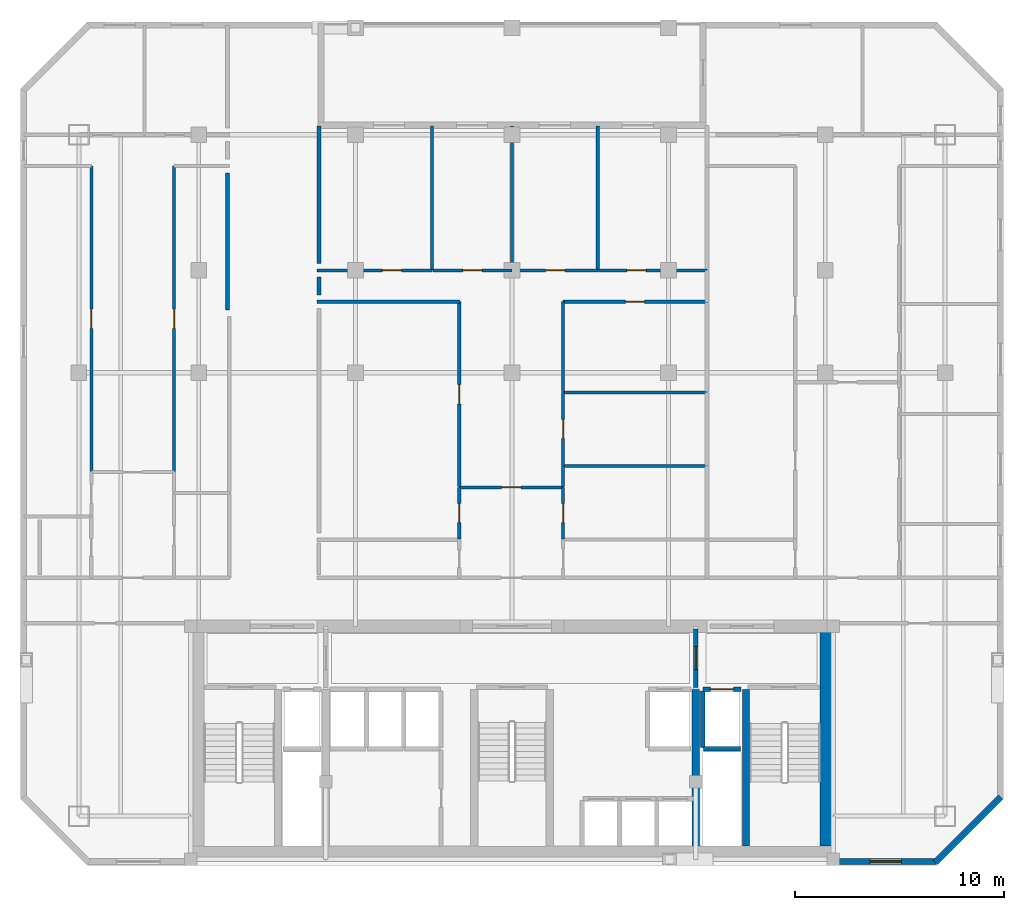
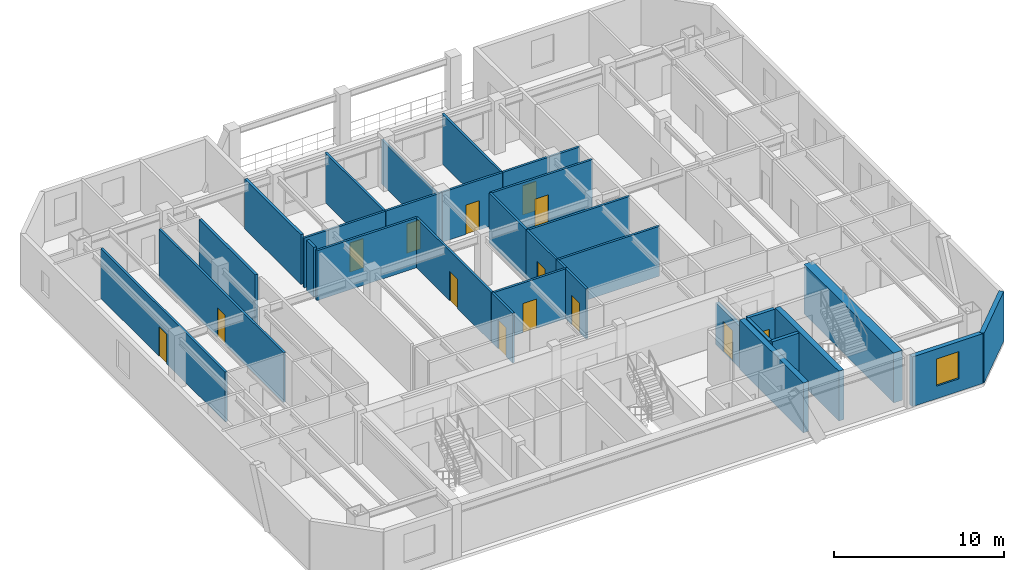
# One storey, part 4 of 8: 32 walls, 14 doors, 1 window, 15 openings.
"""IFC4 building model written with IfcOpenShell, lengths in metres."""

from ifc_helpers import new_model, si_unit, direction, frame, frame_2d, origin, place, context, subcontext, project, spatial, rectangle, extrude, material, layer, layer_set, type_object, element, fill, save


model = new_model("IFC4")

# Units and contexts
model_context = context("Model", 3, precision=1e-05, world=origin(), true_north=direction((0.0, 1.0)))
body_context = subcontext(model_context, "Body", "Model", "MODEL_VIEW")
ifc_project = project(units=[si_unit("LENGTHUNIT", "METRE"), si_unit("AREAUNIT", "SQUARE_METRE"), si_unit("VOLUMEUNIT", "CUBIC_METRE"), si_unit("PLANEANGLEUNIT", "RADIAN"), si_unit("MASSUNIT", "GRAM", prefix="KILO")], contexts=[model_context])

# Site, building, storey
site_placement = place(None, origin())
site = spatial("IfcSite", under=ifc_project, at=site_placement, CompositionType="ELEMENT")
building_placement = place(site_placement, origin())
building = spatial("IfcBuilding", under=site, at=building_placement, Name="Ventersveld Concourse Tower", CompositionType="ELEMENT")
storey_placement = place(building_placement, frame((0.0, 0.0, 200.300048828125)))
storey = spatial("IfcBuildingStorey", under=building, at=storey_placement, Name="L49", CompositionType="ELEMENT", Elevation=200.300048828125)

# Walls
ifc_material_1 = material(Name="Concrete C50/60", Category="concrete")
ifc_layer_1 = layer(ifc_material_1, 0.35009765625)
ifc_layer_set_1 = layer_set([ifc_layer_1], Name="Concrete C50/60")
wall_type_1 = type_object("IfcWallType", Name="WL-CORE-350U", PredefinedType="SHEAR", material=ifc_layer_set_1)
for number, where, z_axis, x_axis, name in (
    (1, (37.550048828125, 0.919921875, 0.0), (0.0, 0.0, 1.0), (0.0, 1.0, 0.0), "L49 Core Internal Shear Web W-SVL-W"),
    (2, (39.9599609375, 0.919921875, 0.0), (0.0, 0.0, 1.0), (0.0, 1.0, 0.0), "L49 Core Internal Shear Web W-ST2-W"),
):
    element("IfcWall", number, at=place(storey_placement, frame(where, z_axis=z_axis, x_axis=x_axis)), inside=storey, type_object=wall_type_1, Name=name, PredefinedType="SHEAR", context=body_context, shape_type="SweptSolid", body=[
        extrude(rectangle(XDim=7.5, YDim=0.35009765625, at=frame_2d((3.75, 0.0))), origin(), (0.0, 0.0, 1.0), 3.570068359375),
    ])
ifc_layer_2 = layer(ifc_material_1, 0.60009765625)
ifc_layer_set_2 = layer_set([ifc_layer_2], Name="Concrete C50/60")
wall_type_2 = type_object("IfcWallType", Name="WL-CORE-600", PredefinedType="SHEAR", material=ifc_layer_set_2)
wall_1_placement = place(storey_placement, frame((43.800048828125, 0.919921875, 0.0), z_axis=(0.0, 0.0, 1.0), x_axis=(0.0, 1.0, 0.0)))
element("IfcWall", 3, at=wall_1_placement, inside=storey, type_object=wall_type_2, Name="L49 Rear Core East Shear Wall", PredefinedType="SHEAR", context=body_context, shape_type="SweptSolid", body=[
    extrude(rectangle(XDim=10.530029296875, YDim=0.60009765625, at=frame_2d((5.26513671875, 0.0))), origin(), (0.0, 0.0, 1.0), 3.570068359375),
])
ifc_material_2 = material(Name="Fire-rated autoclaved aerated masonry blockwork", Category="masonry")
ifc_layer_3 = layer(ifc_material_2, 0.179931640625)
ifc_layer_set_3 = layer_set([ifc_layer_3], Name="Fire-rated autoclaved aerated masonry blockwork")
wall_type_3 = type_object("IfcWallType", Name="WL-CORR-180", PredefinedType="PARTITIONING", material=ifc_layer_set_3)
wall_2_placement = place(storey_placement, frame((15.1201171875, 33.175048828125, 0.0), z_axis=(0.0, 0.0, 1.0), x_axis=(0.0, -1.0, 0.0)))
element("IfcWall", 4, at=wall_2_placement, inside=storey, type_object=wall_type_3, Name="L49 Room Enclosure Wall SP-L49-49NW-DENR", PredefinedType="PARTITIONING", context=body_context, shape_type="SweptSolid", body=[
    extrude(rectangle(XDim=6.565185546875, YDim=0.179931640625, at=frame_2d((3.28271484375, 0.0))), origin(), (0.0, 0.0, 1.0), 3.570068359375),
])
wall_3_placement = place(storey_placement, frame((19.5, 27.324951171875, 0.0), z_axis=(0.0, 0.0, 1.0), x_axis=(0.0, 1.0, 0.0)))
element("IfcWall", 5, at=wall_3_placement, inside=storey, type_object=wall_type_3, Name="L49 Room Enclosure Wall SP-L49-49CM-LIV", PredefinedType="PARTITIONING", context=body_context, shape_type="SweptSolid", body=[
    extrude(rectangle(XDim=0.85009765625, YDim=0.179931640625, at=frame_2d((0.425048828125, 0.0))), origin(), (0.0, 0.0, 1.0), 3.570068359375),
])
wall_4_placement = place(storey_placement, frame((19.5, 28.824951171875, 0.0), z_axis=(0.0, 0.0, 1.0), x_axis=(0.0, 1.0, 0.0)))
element("IfcWall", 6, at=wall_4_placement, inside=storey, type_object=wall_type_3, Name="L49 Room Enclosure Wall SP-L49-49CM-BR1", PredefinedType="PARTITIONING", context=body_context, shape_type="SweptSolid", body=[
    extrude(rectangle(XDim=6.6025390625, YDim=0.179931640625, at=frame_2d((3.30126953125, 0.0))), origin(), (0.0, 0.0, 1.0), 3.570068359375),
])
ifc_layer_4 = layer(ifc_material_2, 0.219970703125)
ifc_layer_set_4 = layer_set([ifc_layer_4], Name="Fire-rated autoclaved aerated masonry blockwork")
wall_type_4 = type_object("IfcWallType", Name="WL-HOIST-220", PredefinedType="SOLIDWALL", material=ifc_layer_set_4)
wall_5_placement = place(storey_placement, frame((37.919921875, 5.590087890625, 0.0), z_axis=(0.0, 0.0, 1.0), x_axis=(1.0, 0.0, 0.0)))
element("IfcWall", 7, at=wall_5_placement, inside=storey, type_object=wall_type_4, Name="L49 Lift Hoistway Back Wall FFL-02", PredefinedType="SOLIDWALL", context=body_context, shape_type="SweptSolid", body=[
    extrude(rectangle(XDim=1.780029296875, YDim=0.219970703125, at=frame_2d((0.89013671875, 0.0))), origin(), (0.0, 0.0, 1.0), 3.570068359375),
])
wall_6_placement = place(storey_placement, frame((37.8798828125, 5.64990234375, 0.0), z_axis=(0.0, 0.0, 1.0), x_axis=(0.0, 1.0, 0.0)))
element("IfcWall", 8, at=wall_6_placement, inside=storey, type_object=wall_type_4, Name="L49 Lift Hoistway Side Wall FFL-02W", PredefinedType="SOLIDWALL", context=body_context, shape_type="SweptSolid", body=[
    extrude(rectangle(XDim=2.7001953125, YDim=0.219970703125, at=frame_2d((1.35009765625, 0.0))), origin(), (0.0, 0.0, 1.0), 3.570068359375),
])

# Wall, opening, door
wall_7_placement = place(storey_placement, frame((37.89990234375, 8.429931640625, 0.0), z_axis=(0.0, 0.0, 1.0), x_axis=(1.0, 0.0, 0.0)))
wall_7 = element("IfcWall", 9, at=wall_7_placement, inside=storey, type_object=wall_type_4, Name="L49 Lift Hoistway Front Wall FFL-02", PredefinedType="SOLIDWALL", context=body_context, shape_type="SweptSolid", body=[
    extrude(rectangle(XDim=1.820068359375, YDim=0.219970703125, at=frame_2d((0.91015625, 0.0))), origin(), (0.0, 0.0, 1.0), 3.570068359375),
])
opening_1_placement = place(wall_7_placement, frame((0.35009765625, 0.0, 0.0)))
opening_1 = element("IfcOpeningElement", 10, at=opening_1_placement, cuts=wall_7, Name="Opening LD1", PredefinedType="OPENING", context=body_context, shape_type="SweptSolid", body=[
    extrude(rectangle(XDim=1.1201171875, YDim=2.25, at=frame_2d((0.56005859375, 1.125))), frame((0.0, 0.1201171875, 0.0), z_axis=(0.0, -1.0, 0.0), x_axis=(1.0, 0.0, 0.0)), (0.0, 0.0, 1.0), 0.239990234375),
])
ifc_material_3 = material(Name="Brushed stainless steel 316", Category="steel")
door_type_1 = type_object("IfcDoorType", Name="LD-FF-112", OperationType="SLIDING_TO_LEFT", PredefinedType="DOOR", material=ifc_material_3)
door_1_placement = place(opening_1_placement, origin())
door_1 = element("IfcDoor", 11, at=door_1_placement, inside=storey, type_object=door_type_1, Name="L49 Lift landing door FFL-02 (LD-L49-FFL-02)", OperationType="SLIDING_TO_RIGHT", OverallHeight=2.25, OverallWidth=1.1201171875, PredefinedType="DOOR", context=body_context, shape_type="SweptSolid", body=[
    extrude(rectangle(XDim=1.1201171875, YDim=2.25, at=frame_2d((0.56005859375, 1.125))), frame((0.0, 0.02490234375, 0.0), z_axis=(0.0, -1.0, 0.0), x_axis=(1.0, 0.0, 0.0)), (0.0, 0.0, 1.0), 0.050048828125),
])
fill(opening_1, door_1)

wall_8_placement = place(storey_placement, frame((37.550048828125, 8.52001953125, 0.0), z_axis=(0.0, 0.0, 1.0), x_axis=(0.0, 1.0, 0.0)))
wall_8 = element("IfcWall", 12, at=wall_8_placement, inside=storey, type_object=wall_type_4, Name="L49 Firefighting Lobby Smoke-Stop Wall FFLE-SEP", PredefinedType="SOLIDWALL", context=body_context, shape_type="SweptSolid", body=[
    extrude(rectangle(XDim=2.800048828125, YDim=0.219970703125, at=frame_2d((1.39990234375, 0.0))), origin(), (0.0, 0.0, 1.0), 3.025390625),
])
opening_2_placement = place(wall_8_placement, frame((0.85009765625, 0.0, 0.0)))
opening_2 = element("IfcOpeningElement", 13, at=opening_2_placement, cuts=wall_8, Name="Opening FD2", PredefinedType="OPENING", context=body_context, shape_type="SweptSolid", body=[
    extrude(rectangle(XDim=1.10009765625, YDim=2.199951171875, at=frame_2d((0.550048828125, 1.10009765625))), frame((0.0, 0.1201171875, 0.0), z_axis=(0.0, -1.0, 0.0), x_axis=(1.0, 0.0, 0.0)), (0.0, 0.0, 1.0), 0.239990234375),
])
ifc_material_4 = material(Name="Galvanised painted steel", Category="steel")
door_type_2 = type_object("IfcDoorType", Name="DR-FFL-110", OperationType="NOTDEFINED", PredefinedType="DOOR", material=ifc_material_4)
door_2_placement = place(opening_2_placement, origin())
door_2 = element("IfcDoor", 14, at=door_2_placement, inside=storey, type_object=door_type_2, Name="L49 Firefighting Lobby Door FFLE-SEP (FD-L49-2385)", OperationType="SINGLE_SWING_RIGHT", OverallHeight=2.199951171875, OverallWidth=1.10009765625, PredefinedType="DOOR", context=body_context, shape_type="SweptSolid", body=[
    extrude(rectangle(XDim=1.10009765625, YDim=2.199951171875, at=frame_2d((0.550048828125, 1.10009765625))), frame((0.0, 0.02490234375, 0.0), z_axis=(0.0, -1.0, 0.0), x_axis=(1.0, 0.0, 0.0)), (0.0, 0.0, 1.0), 0.050048828125),
])
fill(opening_2, door_2)

ifc_material_5 = material(Name="Autoclaved aerated masonry blockwork", Category="masonry")
ifc_layer_5 = layer(ifc_material_5, 0.14990234375)
ifc_layer_set_5 = layer_set([ifc_layer_5], Name="Autoclaved aerated masonry blockwork")
wall_type_5 = type_object("IfcWallType", Name="WL-INT-150", PredefinedType="PARTITIONING", material=ifc_layer_set_5)
wall_9_placement = place(storey_placement, frame((8.6025390625, 18.868408203125, 0.0), z_axis=(0.0, 0.0, 1.0), x_axis=(0.0, 1.0, 0.0)))
wall_9 = element("IfcWall", 15, at=wall_9_placement, inside=storey, type_object=wall_type_5, Name="L49 Interior Partition SP-L49-49NW-LIV-SP-L49-49NW-SEML0", PredefinedType="PARTITIONING", context=body_context, shape_type="SweptSolid", body=[
    extrude(rectangle(XDim=14.636474609375, YDim=0.14990234375, at=frame_2d((7.318359375, 0.0))), origin(), (0.0, 0.0, 1.0), 3.570068359375),
])
opening_3_placement = place(wall_9_placement, frame((6.8583984375, 0.0, 0.0)))
opening_3 = element("IfcOpeningElement", 16, at=opening_3_placement, cuts=wall_9, Name="Opening ID1", PredefinedType="OPENING", context=body_context, shape_type="SweptSolid", body=[
    extrude(rectangle(XDim=0.919921875, YDim=2.10009765625, at=frame_2d((0.4599609375, 1.050048828125))), frame((0.0, 0.0849609375, 0.0), z_axis=(0.0, -1.0, 0.0), x_axis=(1.0, 0.0, 0.0)), (0.0, 0.0, 1.0), 0.169921875),
])
ifc_material_6 = material(Name="Solid-core hardwood veneer timber", Category="wood")
door_type_3 = type_object("IfcDoorType", Name="DR-ROOM-092", OperationType="NOTDEFINED", PredefinedType="DOOR", material=ifc_material_6)
door_3_placement = place(opening_3_placement, origin())
door_3 = element("IfcDoor", 17, at=door_3_placement, inside=storey, type_object=door_type_3, Name="L49 Interior Door SP-L49-49NW-LIV to SP-L49-49NW-SEML0 (D-L49-2399)", OperationType="SINGLE_SWING_LEFT", OverallHeight=2.10009765625, OverallWidth=0.919921875, PredefinedType="DOOR", context=body_context, shape_type="SweptSolid", body=[
    extrude(rectangle(XDim=0.919921875, YDim=2.10009765625, at=frame_2d((0.4599609375, 1.050048828125))), frame((0.0, 0.02490234375, 0.0), z_axis=(0.0, -1.0, 0.0), x_axis=(1.0, 0.0, 0.0)), (0.0, 0.0, 1.0), 0.050048828125),
])
fill(opening_3, door_3)

wall_10_placement = place(storey_placement, frame((12.5625, 18.868408203125, 0.0), z_axis=(0.0, 0.0, 1.0), x_axis=(0.0, 1.0, 0.0)))
wall_10 = element("IfcWall", 18, at=wall_10_placement, inside=storey, type_object=wall_type_5, Name="L49 Interior Partition SP-L49-49NW-LIV-SP-L49-49NW-DENR", PredefinedType="PARTITIONING", context=body_context, shape_type="SweptSolid", body=[
    extrude(rectangle(XDim=14.636474609375, YDim=0.14990234375, at=frame_2d((7.318359375, 0.0))), origin(), (0.0, 0.0, 1.0), 3.570068359375),
])
opening_4_placement = place(wall_10_placement, frame((6.8583984375, 0.0, 0.0)))
opening_4 = element("IfcOpeningElement", 19, at=opening_4_placement, cuts=wall_10, Name="Opening ID1", PredefinedType="OPENING", context=body_context, shape_type="SweptSolid", body=[
    extrude(rectangle(XDim=0.919921875, YDim=2.10009765625, at=frame_2d((0.4599609375, 1.050048828125))), frame((0.0, 0.0849609375, 0.0), z_axis=(0.0, -1.0, 0.0), x_axis=(1.0, 0.0, 0.0)), (0.0, 0.0, 1.0), 0.169921875),
])
door_4_placement = place(opening_4_placement, origin())
door_4 = element("IfcDoor", 20, at=door_4_placement, inside=storey, type_object=door_type_3, Name="L49 Interior Door SP-L49-49NW-LIV to SP-L49-49NW-DENR (D-L49-2400)", OperationType="SINGLE_SWING_RIGHT", OverallHeight=2.10009765625, OverallWidth=0.919921875, PredefinedType="DOOR", context=body_context, shape_type="SweptSolid", body=[
    extrude(rectangle(XDim=0.919921875, YDim=2.10009765625, at=frame_2d((0.4599609375, 1.050048828125))), frame((0.0, 0.02490234375, 0.0), z_axis=(0.0, -1.0, 0.0), x_axis=(1.0, 0.0, 0.0)), (0.0, 0.0, 1.0), 0.050048828125),
])
fill(opening_4, door_4)

wall_11_placement = place(storey_placement, frame((26.216552734375, 18.100830078125, 0.0), z_axis=(0.0, 0.0, 1.0), x_axis=(1.0, 0.0, 0.0)))
wall_11 = element("IfcWall", 21, at=wall_11_placement, inside=storey, type_object=wall_type_5, Name="L49 Interior Partition SP-L49-49CM-FOY-SP-L49-49CM-LIV", PredefinedType="PARTITIONING", context=body_context, shape_type="SweptSolid", body=[
    extrude(rectangle(XDim=4.989990234375, YDim=0.14990234375, at=frame_2d((2.4951171875, 0.0))), origin(), (0.0, 0.0, 1.0), 3.570068359375),
])
opening_5_placement = place(wall_11_placement, frame((2.034912109375, 0.0, 0.0)))
opening_5 = element("IfcOpeningElement", 22, at=opening_5_placement, cuts=wall_11, Name="Opening ID1", PredefinedType="OPENING", context=body_context, shape_type="SweptSolid", body=[
    extrude(rectangle(XDim=0.919921875, YDim=2.10009765625, at=frame_2d((0.4599609375, 1.050048828125))), frame((0.0, 0.0849609375, 0.0), z_axis=(0.0, -1.0, 0.0), x_axis=(1.0, 0.0, 0.0)), (0.0, 0.0, 1.0), 0.169921875),
])
door_5_placement = place(opening_5_placement, origin())
door_5 = element("IfcDoor", 23, at=door_5_placement, inside=storey, type_object=door_type_3, Name="L49 Interior Door SP-L49-49CM-FOY to SP-L49-49CM-LIV (D-L49-2414)", OperationType="SINGLE_SWING_RIGHT", OverallHeight=2.10009765625, OverallWidth=0.919921875, PredefinedType="DOOR", context=body_context, shape_type="SweptSolid", body=[
    extrude(rectangle(XDim=0.919921875, YDim=2.10009765625, at=frame_2d((0.4599609375, 1.050048828125))), frame((0.0, 0.02490234375, 0.0), z_axis=(0.0, -1.0, 0.0), x_axis=(1.0, 0.0, 0.0)), (0.0, 0.0, 1.0), 0.050048828125),
])
fill(opening_5, door_5)

wall_12_placement = place(storey_placement, frame((26.221435546875, 15.635009765625, 0.0), z_axis=(0.0, 0.0, 1.0), x_axis=(0.0, 1.0, 0.0)))
wall_12 = element("IfcWall", 24, at=wall_12_placement, inside=storey, type_object=wall_type_5, Name="L49 Interior Partition SP-L49-49CM-FOY-SP-L49-49CM-DENL", PredefinedType="PARTITIONING", context=body_context, shape_type="SweptSolid", body=[
    extrude(rectangle(XDim=2.470703125, YDim=0.14990234375, at=frame_2d((1.2353515625, 0.0))), origin(), (0.0, 0.0, 1.0), 3.570068359375),
])
opening_6_placement = place(wall_12_placement, frame((0.775390625, 0.0, 0.0)))
opening_6 = element("IfcOpeningElement", 25, at=opening_6_placement, cuts=wall_12, Name="Opening ID1", PredefinedType="OPENING", context=body_context, shape_type="SweptSolid", body=[
    extrude(rectangle(XDim=0.919921875, YDim=2.10009765625, at=frame_2d((0.4599609375, 1.050048828125))), frame((0.0, 0.0849609375, 0.0), z_axis=(0.0, -1.0, 0.0), x_axis=(1.0, 0.0, 0.0)), (0.0, 0.0, 1.0), 0.169921875),
])
door_6_placement = place(opening_6_placement, origin())
door_6 = element("IfcDoor", 26, at=door_6_placement, inside=storey, type_object=door_type_3, Name="L49 Interior Door SP-L49-49CM-FOY to SP-L49-49CM-DENL (D-L49-2416)", OperationType="SINGLE_SWING_RIGHT", OverallHeight=2.10009765625, OverallWidth=0.919921875, PredefinedType="DOOR", context=body_context, shape_type="SweptSolid", body=[
    extrude(rectangle(XDim=0.919921875, YDim=2.10009765625, at=frame_2d((0.4599609375, 1.050048828125))), frame((0.0, 0.02490234375, 0.0), z_axis=(0.0, -1.0, 0.0), x_axis=(1.0, 0.0, 0.0)), (0.0, 0.0, 1.0), 0.050048828125),
])
fill(opening_6, door_6)

wall_13_placement = place(storey_placement, frame((31.201416015625, 15.635009765625, 0.0), z_axis=(0.0, 0.0, 1.0), x_axis=(0.0, 1.0, 0.0)))
wall_13 = element("IfcWall", 27, at=wall_13_placement, inside=storey, type_object=wall_type_5, Name="L49 Interior Partition SP-L49-49CM-FOY-SP-L49-49CM-DENR", PredefinedType="PARTITIONING", context=body_context, shape_type="SweptSolid", body=[
    extrude(rectangle(XDim=2.470703125, YDim=0.14990234375, at=frame_2d((1.2353515625, 0.0))), origin(), (0.0, 0.0, 1.0), 3.570068359375),
])
opening_7_placement = place(wall_13_placement, frame((0.775390625, 0.0, 0.0)))
opening_7 = element("IfcOpeningElement", 28, at=opening_7_placement, cuts=wall_13, Name="Opening ID1", PredefinedType="OPENING", context=body_context, shape_type="SweptSolid", body=[
    extrude(rectangle(XDim=0.919921875, YDim=2.10009765625, at=frame_2d((0.4599609375, 1.050048828125))), frame((0.0, 0.0849609375, 0.0), z_axis=(0.0, -1.0, 0.0), x_axis=(1.0, 0.0, 0.0)), (0.0, 0.0, 1.0), 0.169921875),
])
door_7_placement = place(opening_7_placement, origin())
door_7 = element("IfcDoor", 29, at=door_7_placement, inside=storey, type_object=door_type_3, Name="L49 Interior Door SP-L49-49CM-FOY to SP-L49-49CM-DENR (D-L49-2418)", OperationType="SINGLE_SWING_RIGHT", OverallHeight=2.10009765625, OverallWidth=0.919921875, PredefinedType="DOOR", context=body_context, shape_type="SweptSolid", body=[
    extrude(rectangle(XDim=0.919921875, YDim=2.10009765625, at=frame_2d((0.4599609375, 1.050048828125))), frame((0.0, 0.02490234375, 0.0), z_axis=(0.0, -1.0, 0.0), x_axis=(1.0, 0.0, 0.0)), (0.0, 0.0, 1.0), 0.050048828125),
])
fill(opening_7, door_7)

wall_14_placement = place(storey_placement, frame((26.221435546875, 18.1357421875, 0.0), z_axis=(0.0, 0.0, 1.0), x_axis=(0.0, 1.0, 0.0)))
wall_14 = element("IfcWall", 30, at=wall_14_placement, inside=storey, type_object=wall_type_5, Name="L49 Interior Partition SP-L49-49CM-LIV-SP-L49-49CM-DENL", PredefinedType="PARTITIONING", context=body_context, shape_type="SweptSolid", body=[
    extrude(rectangle(XDim=8.869140625, YDim=0.14990234375, at=frame_2d((4.4345703125, 0.0))), origin(), (0.0, 0.0, 1.0), 3.570068359375),
])
opening_8_placement = place(wall_14_placement, frame((3.974609375, 0.0, 0.0)))
opening_8 = element("IfcOpeningElement", 31, at=opening_8_placement, cuts=wall_14, Name="Opening ID1", PredefinedType="OPENING", context=body_context, shape_type="SweptSolid", body=[
    extrude(rectangle(XDim=0.919921875, YDim=2.10009765625, at=frame_2d((0.4599609375, 1.050048828125))), frame((0.0, 0.0849609375, 0.0), z_axis=(0.0, -1.0, 0.0), x_axis=(1.0, 0.0, 0.0)), (0.0, 0.0, 1.0), 0.169921875),
])
door_8_placement = place(opening_8_placement, origin())
door_8 = element("IfcDoor", 32, at=door_8_placement, inside=storey, type_object=door_type_3, Name="L49 Interior Door SP-L49-49CM-LIV to SP-L49-49CM-DENL (D-L49-2419)", OperationType="SINGLE_SWING_LEFT", OverallHeight=2.10009765625, OverallWidth=0.919921875, PredefinedType="DOOR", context=body_context, shape_type="SweptSolid", body=[
    extrude(rectangle(XDim=0.919921875, YDim=2.10009765625, at=frame_2d((0.4599609375, 1.050048828125))), frame((0.0, 0.02490234375, 0.0), z_axis=(0.0, -1.0, 0.0), x_axis=(1.0, 0.0, 0.0)), (0.0, 0.0, 1.0), 0.050048828125),
])
fill(opening_8, door_8)

# Walls
wall_15_placement = place(storey_placement, frame((19.405029296875, 27.0, 0.0), z_axis=(0.0, 0.0, 1.0), x_axis=(1.0, 0.0, 0.0)))
element("IfcWall", 33, at=wall_15_placement, inside=storey, type_object=wall_type_5, Name="L49 Interior Partition SP-L49-49CM-LIV-SP-L49-49CM-DENL", PredefinedType="PARTITIONING", context=body_context, shape_type="SweptSolid", body=[
    extrude(rectangle(XDim=6.821533203125, YDim=0.14990234375, at=frame_2d((3.41064453125, 0.0))), origin(), (0.0, 0.0, 1.0), 3.570068359375),
])
wall_16_placement = place(storey_placement, frame((31.201416015625, 18.1357421875, 0.0), z_axis=(0.0, 0.0, 1.0), x_axis=(0.0, 1.0, 0.0)))
element("IfcWall", 34, at=wall_16_placement, inside=storey, type_object=wall_type_5, Name="L49 Interior Partition SP-L49-49CM-LIV-SP-L49-49CM-DENR", PredefinedType="PARTITIONING", context=body_context, shape_type="SweptSolid", body=[
    extrude(rectangle(XDim=0.994873046875, YDim=0.14990234375, at=frame_2d((0.49755859375, 0.0))), origin(), (0.0, 0.0, 1.0), 3.570068359375),
])

# Wall, opening, door
wall_17_placement = place(storey_placement, frame((31.201416015625, 19.160400390625, 0.0), z_axis=(0.0, 0.0, 1.0), x_axis=(0.0, 1.0, 0.0)))
wall_17 = element("IfcWall", 35, at=wall_17_placement, inside=storey, type_object=wall_type_5, Name="L49 Interior Partition SP-L49-49CM-LIV-SP-L49-49CM-DENS", PredefinedType="PARTITIONING", context=body_context, shape_type="SweptSolid", body=[
    extrude(rectangle(XDim=3.49560546875, YDim=0.14990234375, at=frame_2d((1.747802734375, 0.0))), origin(), (0.0, 0.0, 1.0), 3.570068359375),
])
opening_9_placement = place(wall_17_placement, frame((1.28759765625, 0.0, 0.0)))
opening_9 = element("IfcOpeningElement", 36, at=opening_9_placement, cuts=wall_17, Name="Opening ID1", PredefinedType="OPENING", context=body_context, shape_type="SweptSolid", body=[
    extrude(rectangle(XDim=0.919921875, YDim=2.10009765625, at=frame_2d((0.4599609375, 1.050048828125))), frame((0.0, 0.0849609375, 0.0), z_axis=(0.0, -1.0, 0.0), x_axis=(1.0, 0.0, 0.0)), (0.0, 0.0, 1.0), 0.169921875),
])
door_9_placement = place(opening_9_placement, origin())
door_9 = element("IfcDoor", 37, at=door_9_placement, inside=storey, type_object=door_type_3, Name="L49 Interior Door SP-L49-49CM-LIV to SP-L49-49CM-DENS (D-L49-2420)", OperationType="SINGLE_SWING_RIGHT", OverallHeight=2.10009765625, OverallWidth=0.919921875, PredefinedType="DOOR", context=body_context, shape_type="SweptSolid", body=[
    extrude(rectangle(XDim=0.919921875, YDim=2.10009765625, at=frame_2d((0.4599609375, 1.050048828125))), frame((0.0, 0.02490234375, 0.0), z_axis=(0.0, -1.0, 0.0), x_axis=(1.0, 0.0, 0.0)), (0.0, 0.0, 1.0), 0.050048828125),
])
fill(opening_9, door_9)

wall_18_placement = place(storey_placement, frame((31.196533203125, 27.0, 0.0), z_axis=(0.0, 0.0, 1.0), x_axis=(1.0, 0.0, 0.0)))
wall_18 = element("IfcWall", 38, at=wall_18_placement, inside=storey, type_object=wall_type_5, Name="L49 Interior Partition SP-L49-49CM-LIV-SP-L49-49CM-DENS2", PredefinedType="PARTITIONING", context=body_context, shape_type="SweptSolid", body=[
    extrude(rectangle(XDim=6.8984375, YDim=0.14990234375, at=frame_2d((3.44921875, 0.0))), origin(), (0.0, 0.0, 1.0), 3.570068359375),
])
opening_10_placement = place(wall_18_placement, frame((2.9892578125, 0.0, 0.0)))
opening_10 = element("IfcOpeningElement", 39, at=opening_10_placement, cuts=wall_18, Name="Opening ID1", PredefinedType="OPENING", context=body_context, shape_type="SweptSolid", body=[
    extrude(rectangle(XDim=0.919921875, YDim=2.10009765625, at=frame_2d((0.4599609375, 1.050048828125))), frame((0.0, 0.0849609375, 0.0), z_axis=(0.0, -1.0, 0.0), x_axis=(1.0, 0.0, 0.0)), (0.0, 0.0, 1.0), 0.169921875),
])
door_10_placement = place(opening_10_placement, origin())
door_10 = element("IfcDoor", 40, at=door_10_placement, inside=storey, type_object=door_type_3, Name="L49 Interior Door SP-L49-49CM-LIV to SP-L49-49CM-DENS2 (D-L49-2421)", OperationType="SINGLE_SWING_LEFT", OverallHeight=2.10009765625, OverallWidth=0.919921875, PredefinedType="DOOR", context=body_context, shape_type="SweptSolid", body=[
    extrude(rectangle(XDim=0.919921875, YDim=2.10009765625, at=frame_2d((0.4599609375, 1.050048828125))), frame((0.0, 0.02490234375, 0.0), z_axis=(0.0, -1.0, 0.0), x_axis=(1.0, 0.0, 0.0)), (0.0, 0.0, 1.0), 0.050048828125),
])
fill(opening_10, door_10)

# Wall
wall_19_placement = place(storey_placement, frame((31.201416015625, 22.68603515625, 0.0), z_axis=(0.0, 0.0, 1.0), x_axis=(0.0, 1.0, 0.0)))
element("IfcWall", 41, at=wall_19_placement, inside=storey, type_object=wall_type_5, Name="L49 Interior Partition SP-L49-49CM-LIV-SP-L49-49CM-DENS2", PredefinedType="PARTITIONING", context=body_context, shape_type="SweptSolid", body=[
    extrude(rectangle(XDim=4.31884765625, YDim=0.14990234375, at=frame_2d((2.159423828125, 0.0))), origin(), (0.0, 0.0, 1.0), 3.570068359375),
])

# Wall, opening, door
wall_20_placement = place(storey_placement, frame((19.405029296875, 28.5, 0.0), z_axis=(0.0, 0.0, 1.0), x_axis=(1.0, 0.0, 0.0)))
wall_20 = element("IfcWall", 42, at=wall_20_placement, inside=storey, type_object=wall_type_5, Name="L49 Interior Partition SP-L49-49CM-LIV-SP-L49-49CM-BR1", PredefinedType="PARTITIONING", context=body_context, shape_type="SweptSolid", body=[
    extrude(rectangle(XDim=5.52197265625, YDim=0.14990234375, at=frame_2d((2.760986328125, 0.0))), origin(), (0.0, 0.0, 1.0), 3.570068359375),
])
opening_11_placement = place(wall_20_placement, frame((3.129150390625, 0.0, 0.0)))
opening_11 = element("IfcOpeningElement", 43, at=opening_11_placement, cuts=wall_20, Name="Opening ID1", PredefinedType="OPENING", context=body_context, shape_type="SweptSolid", body=[
    extrude(rectangle(XDim=0.919921875, YDim=2.10009765625, at=frame_2d((0.4599609375, 1.050048828125))), frame((0.0, 0.0849609375, 0.0), z_axis=(0.0, -1.0, 0.0), x_axis=(1.0, 0.0, 0.0)), (0.0, 0.0, 1.0), 0.169921875),
])
door_11_placement = place(opening_11_placement, origin())
door_11 = element("IfcDoor", 44, at=door_11_placement, inside=storey, type_object=door_type_3, Name="L49 Interior Door SP-L49-49CM-LIV to SP-L49-49CM-BR1 (D-L49-2422)", OperationType="SINGLE_SWING_RIGHT", OverallHeight=2.10009765625, OverallWidth=0.919921875, PredefinedType="DOOR", context=body_context, shape_type="SweptSolid", body=[
    extrude(rectangle(XDim=0.919921875, YDim=2.10009765625, at=frame_2d((0.4599609375, 1.050048828125))), frame((0.0, 0.02490234375, 0.0), z_axis=(0.0, -1.0, 0.0), x_axis=(1.0, 0.0, 0.0)), (0.0, 0.0, 1.0), 0.050048828125),
])
fill(opening_11, door_11)

wall_21_placement = place(storey_placement, frame((24.956787109375, 28.5, 0.0), z_axis=(0.0, 0.0, 1.0), x_axis=(1.0, 0.0, 0.0)))
wall_21 = element("IfcWall", 45, at=wall_21_placement, inside=storey, type_object=wall_type_5, Name="L49 Interior Partition SP-L49-49CM-LIV-SP-L49-49CM-BR2", PredefinedType="PARTITIONING", context=body_context, shape_type="SweptSolid", body=[
    extrude(rectangle(XDim=3.798095703125, YDim=0.14990234375, at=frame_2d((1.89892578125, 0.0))), origin(), (0.0, 0.0, 1.0), 3.570068359375),
])
opening_12_placement = place(wall_21_placement, frame((1.43896484375, 0.0, 0.0)))
opening_12 = element("IfcOpeningElement", 46, at=opening_12_placement, cuts=wall_21, Name="Opening ID1", PredefinedType="OPENING", context=body_context, shape_type="SweptSolid", body=[
    extrude(rectangle(XDim=0.919921875, YDim=2.10009765625, at=frame_2d((0.4599609375, 1.050048828125))), frame((0.0, 0.0849609375, 0.0), z_axis=(0.0, -1.0, 0.0), x_axis=(1.0, 0.0, 0.0)), (0.0, 0.0, 1.0), 0.169921875),
])
door_12_placement = place(opening_12_placement, origin())
door_12 = element("IfcDoor", 47, at=door_12_placement, inside=storey, type_object=door_type_3, Name="L49 Interior Door SP-L49-49CM-LIV to SP-L49-49CM-BR2 (D-L49-2423)", OperationType="SINGLE_SWING_LEFT", OverallHeight=2.10009765625, OverallWidth=0.919921875, PredefinedType="DOOR", context=body_context, shape_type="SweptSolid", body=[
    extrude(rectangle(XDim=0.919921875, YDim=2.10009765625, at=frame_2d((0.4599609375, 1.050048828125))), frame((0.0, 0.02490234375, 0.0), z_axis=(0.0, -1.0, 0.0), x_axis=(1.0, 0.0, 0.0)), (0.0, 0.0, 1.0), 0.050048828125),
])
fill(opening_12, door_12)

wall_22_placement = place(storey_placement, frame((28.784912109375, 28.5, 0.0), z_axis=(0.0, 0.0, 1.0), x_axis=(1.0, 0.0, 0.0)))
wall_22 = element("IfcWall", 48, at=wall_22_placement, inside=storey, type_object=wall_type_5, Name="L49 Interior Partition SP-L49-49CM-LIV-SP-L49-49CM-BR3", PredefinedType="PARTITIONING", context=body_context, shape_type="SweptSolid", body=[
    extrude(rectangle(XDim=4.078857421875, YDim=0.14990234375, at=frame_2d((2.03955078125, 0.0))), origin(), (0.0, 0.0, 1.0), 3.570068359375),
])
opening_13_placement = place(wall_22_placement, frame((1.579345703125, 0.0, 0.0)))
opening_13 = element("IfcOpeningElement", 49, at=opening_13_placement, cuts=wall_22, Name="Opening ID1", PredefinedType="OPENING", context=body_context, shape_type="SweptSolid", body=[
    extrude(rectangle(XDim=0.919921875, YDim=2.10009765625, at=frame_2d((0.4599609375, 1.050048828125))), frame((0.0, 0.0849609375, 0.0), z_axis=(0.0, -1.0, 0.0), x_axis=(1.0, 0.0, 0.0)), (0.0, 0.0, 1.0), 0.169921875),
])
door_13_placement = place(opening_13_placement, origin())
door_13 = element("IfcDoor", 50, at=door_13_placement, inside=storey, type_object=door_type_3, Name="L49 Interior Door SP-L49-49CM-LIV to SP-L49-49CM-BR3 (D-L49-2424)", OperationType="SINGLE_SWING_RIGHT", OverallHeight=2.10009765625, OverallWidth=0.919921875, PredefinedType="DOOR", context=body_context, shape_type="SweptSolid", body=[
    extrude(rectangle(XDim=0.919921875, YDim=2.10009765625, at=frame_2d((0.4599609375, 1.050048828125))), frame((0.0, 0.02490234375, 0.0), z_axis=(0.0, -1.0, 0.0), x_axis=(1.0, 0.0, 0.0)), (0.0, 0.0, 1.0), 0.050048828125),
])
fill(opening_13, door_13)

wall_23_placement = place(storey_placement, frame((32.893798828125, 28.5, 0.0), z_axis=(0.0, 0.0, 1.0), x_axis=(1.0, 0.0, 0.0)))
wall_23 = element("IfcWall", 51, at=wall_23_placement, inside=storey, type_object=wall_type_5, Name="L49 Interior Partition SP-L49-49CM-LIV-SP-L49-49CM-BR4", PredefinedType="PARTITIONING", context=body_context, shape_type="SweptSolid", body=[
    extrude(rectangle(XDim=5.201171875, YDim=0.14990234375, at=frame_2d((2.6005859375, 0.0))), origin(), (0.0, 0.0, 1.0), 3.570068359375),
])
opening_14_placement = place(wall_23_placement, frame((1.360595703125, 0.0, 0.0)))
opening_14 = element("IfcOpeningElement", 52, at=opening_14_placement, cuts=wall_23, Name="Opening ID1", PredefinedType="OPENING", context=body_context, shape_type="SweptSolid", body=[
    extrude(rectangle(XDim=0.919921875, YDim=2.10009765625, at=frame_2d((0.4599609375, 1.050048828125))), frame((0.0, 0.0849609375, 0.0), z_axis=(0.0, -1.0, 0.0), x_axis=(1.0, 0.0, 0.0)), (0.0, 0.0, 1.0), 0.169921875),
])
door_14_placement = place(opening_14_placement, origin())
door_14 = element("IfcDoor", 53, at=door_14_placement, inside=storey, type_object=door_type_3, Name="L49 Interior Door SP-L49-49CM-LIV to SP-L49-49CM-BR4 (D-L49-2425)", OperationType="SINGLE_SWING_LEFT", OverallHeight=2.10009765625, OverallWidth=0.919921875, PredefinedType="DOOR", context=body_context, shape_type="SweptSolid", body=[
    extrude(rectangle(XDim=0.919921875, YDim=2.10009765625, at=frame_2d((0.4599609375, 1.050048828125))), frame((0.0, 0.02490234375, 0.0), z_axis=(0.0, -1.0, 0.0), x_axis=(1.0, 0.0, 0.0)), (0.0, 0.0, 1.0), 0.050048828125),
])
fill(opening_14, door_14)

# Walls
for number, where, z_axis, x_axis, name in (
    (54, (31.196533203125, 19.12548828125, 0.0), (0.0, 0.0, 1.0), (1.0, 0.0, 0.0), "L49 Interior Partition SP-L49-49CM-DENR-SP-L49-49CM-DENS"),
    (55, (31.196533203125, 22.65087890625, 0.0), (0.0, 0.0, 1.0), (1.0, 0.0, 0.0), "L49 Interior Partition SP-L49-49CM-DENS-SP-L49-49CM-DENS2"),
):
    element("IfcWall", number, at=place(storey_placement, frame(where, z_axis=z_axis, x_axis=x_axis)), inside=storey, type_object=wall_type_5, Name=name, PredefinedType="PARTITIONING", context=body_context, shape_type="SweptSolid", body=[
        extrude(rectangle(XDim=6.8984375, YDim=0.14990234375, at=frame_2d((3.44921875, 0.0))), origin(), (0.0, 0.0, 1.0), 3.570068359375),
    ])
wall_24_placement = place(storey_placement, frame((24.921875, 28.4951171875, 0.0), z_axis=(0.0, 0.0, 1.0), x_axis=(0.0, 1.0, 0.0)))
element("IfcWall", 56, at=wall_24_placement, inside=storey, type_object=wall_type_5, Name="L49 Interior Partition SP-L49-49CM-BR1-SP-L49-49CM-BR2", PredefinedType="PARTITIONING", context=body_context, shape_type="SweptSolid", body=[
    extrude(rectangle(XDim=6.932373046875, YDim=0.14990234375, at=frame_2d((3.46630859375, 0.0))), origin(), (0.0, 0.0, 1.0), 3.570068359375),
])
wall_25_placement = place(storey_placement, frame((28.75, 28.4951171875, 0.0), z_axis=(0.0, 0.0, 1.0), x_axis=(0.0, 1.0, 0.0)))
element("IfcWall", 57, at=wall_25_placement, inside=storey, type_object=wall_type_5, Name="L49 Interior Partition SP-L49-49CM-BR2-SP-L49-49CM-BR3", PredefinedType="PARTITIONING", context=body_context, shape_type="SweptSolid", body=[
    extrude(rectangle(XDim=6.932373046875, YDim=0.14990234375, at=frame_2d((3.46630859375, 0.0))), origin(), (0.0, 0.0, 1.0), 3.16357421875),
])
wall_26_placement = place(storey_placement, frame((32.858642578125, 28.4951171875, 0.0), z_axis=(0.0, 0.0, 1.0), x_axis=(0.0, 1.0, 0.0)))
element("IfcWall", 58, at=wall_26_placement, inside=storey, type_object=wall_type_5, Name="L49 Interior Partition SP-L49-49CM-BR3-SP-L49-49CM-BR4", PredefinedType="PARTITIONING", context=body_context, shape_type="SweptSolid", body=[
    extrude(rectangle(XDim=6.932373046875, YDim=0.14990234375, at=frame_2d((3.46630859375, 0.0))), origin(), (0.0, 0.0, 1.0), 3.570068359375),
])

# Wall, opening, window
ifc_material_7 = material(Name="Precast concrete C45/55", Category="concrete")
ifc_layer_6 = layer(ifc_material_7, 0.300048828125)
ifc_layer_set_6 = layer_set([ifc_layer_6], Name="Precast concrete C45/55")
wall_type_6 = type_object("IfcWallType", Name="WL-PREC-300", PredefinedType="SOLIDWALL", material=ifc_layer_set_6)
wall_27_placement = place(storey_placement, frame((44.25, 0.179931640625, 0.0), z_axis=(0.0, 0.0, 1.0), x_axis=(1.0, 0.0, 0.0)))
wall_27 = element("IfcWall", 59, at=wall_27_placement, inside=storey, type_object=wall_type_6, Name="L49 South-East Flank Precast Wall", PredefinedType="SOLIDWALL", context=body_context, shape_type="SweptSolid", body=[
    extrude(rectangle(XDim=4.81005859375, YDim=0.300048828125, at=frame_2d((2.405029296875, 0.0))), origin(), (0.0, 0.0, 1.0), 3.570068359375),
])
opening_15_placement = place(wall_27_placement, frame((1.655029296875, 0.0, 0.89990234375)))
opening_15 = element("IfcOpeningElement", 60, at=opening_15_placement, cuts=wall_27, Name="Opening W1", PredefinedType="OPENING", context=body_context, shape_type="SweptSolid", body=[
    extrude(rectangle(XDim=1.5, YDim=1.949951171875, at=frame_2d((0.75, 0.97509765625))), frame((0.0, 0.16015625, 0.0), z_axis=(0.0, -1.0, 0.0), x_axis=(1.0, 0.0, 0.0)), (0.0, 0.0, 1.0), 0.320068359375),
])
ifc_material_8 = material(Name="Tempered acoustic Low-E IGU", Category="glass")
window_type = type_object("IfcWindowType", Name="WIN-150x210", PartitioningType="SINGLE_PANEL", PredefinedType="WINDOW", material=ifc_material_8)
window_placement = place(opening_15_placement, origin())
window = element("IfcWindow", 61, at=window_placement, inside=storey, type_object=window_type, Name="L49 Punched Low-E Window W-0687", OverallHeight=1.949951171875, OverallWidth=1.5, PartitioningType="SINGLE_PANEL", PredefinedType="WINDOW", context=body_context, shape_type="SweptSolid", body=[
    extrude(rectangle(XDim=1.5, YDim=1.949951171875, at=frame_2d((0.75, 0.97509765625))), frame((0.0, 0.030029296875, 0.0), z_axis=(0.0, -1.0, 0.0), x_axis=(1.0, 0.0, 0.0)), (0.0, 0.0, 1.0), 0.06005859375),
])
fill(opening_15, window)

# Wall
wall_28_placement = place(storey_placement, frame((49.022216796875, 0.134521484375, 0.0), z_axis=(0.0, 0.0, 1.0), x_axis=(0.707106781187, 0.707106781187, 0.0)))
element("IfcWall", 62, at=wall_28_placement, inside=storey, type_object=wall_type_6, Name="L49 Highveld Precast Facade Wall E02", PredefinedType="SOLIDWALL", context=body_context, shape_type="SweptSolid", body=[
    extrude(rectangle(XDim=4.4453125, YDim=0.300048828125, at=frame_2d((2.22265625, 0.0))), origin(), (0.0, 0.0, 1.0), 3.570068359375),
])

save(model, "model.ifc")
